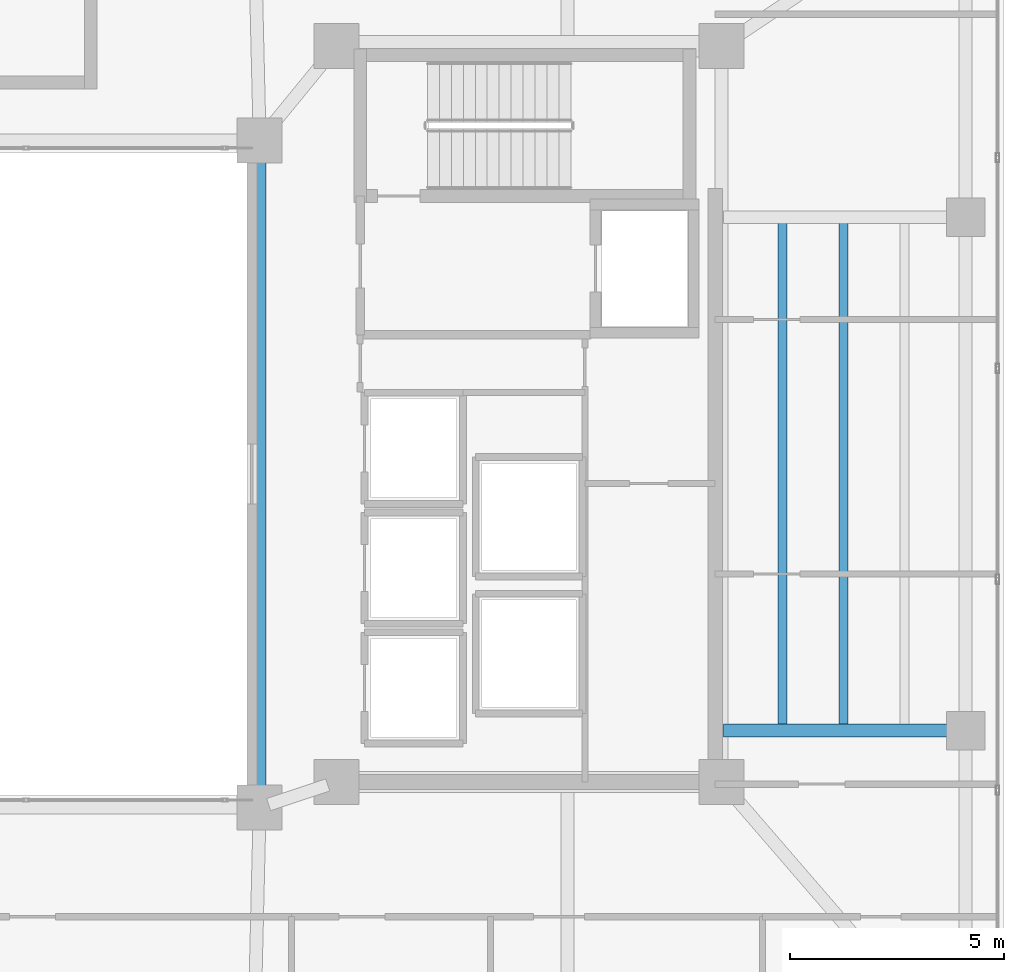
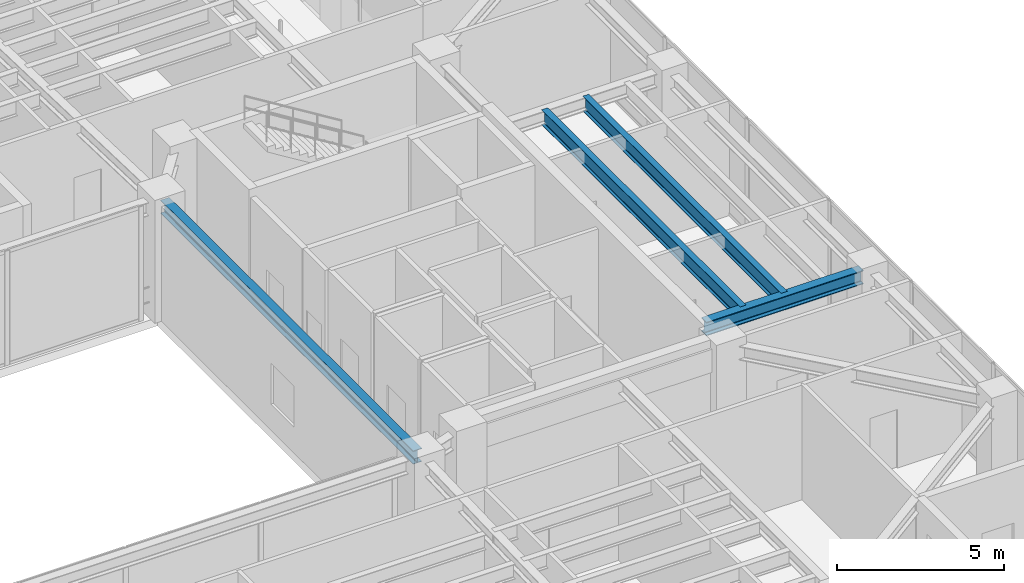
# One storey, part 14 of 33: 4 beams.
"""IFC4 building model written with IfcOpenShell, lengths in metres."""

from ifc_helpers import new_model, si_unit, direction, frame, origin, origin_2d, place, context, subcontext, project, spatial, i_section, extrude, material, material_profile, profile_set, type_object, element, save


model = new_model("IFC4")

# Units and contexts
model_context = context("Model", 3, precision=1e-05, world=origin(), true_north=direction((0.0, 1.0)))
body_context = subcontext(model_context, "Body", "Model", "MODEL_VIEW")
ifc_project = project(units=[si_unit("LENGTHUNIT", "METRE"), si_unit("AREAUNIT", "SQUARE_METRE"), si_unit("VOLUMEUNIT", "CUBIC_METRE"), si_unit("PLANEANGLEUNIT", "RADIAN"), si_unit("MASSUNIT", "GRAM", prefix="KILO")], contexts=[model_context])

# Site, building, storey
site_placement = place(None, origin())
site = spatial("IfcSite", under=ifc_project, at=site_placement, CompositionType="ELEMENT")
building_placement = place(site_placement, origin())
building = spatial("IfcBuilding", under=site, at=building_placement, Name="Tarnavaz Court Tower", CompositionType="ELEMENT")
storey_placement = place(building_placement, frame((0.0, 0.0, 177.300048828125)))
storey = spatial("IfcBuildingStorey", under=building, at=storey_placement, Name="L48", CompositionType="ELEMENT", Elevation=177.300048828125)

# Beams
ifc_material = material(Name="Steel S355", Category="steel")
ifc_material_profile_1 = material_profile(ifc_material, i_section(OverallWidth=0.300048828125, OverallDepth=0.5, WebThickness=0.014404296875, FlangeThickness=0.028076171875, FilletRadius=0.027099609375, at=origin_2d()), Name="HEB 500")
ifc_profile_set_1 = profile_set([ifc_material_profile_1], Name="Steel S355")
beam_type_1 = type_object("IfcBeamType", Name="BM-G-HEB500", PredefinedType="USERDEFINED", material=ifc_profile_set_1)
beam_1_placement = place(storey_placement, frame((18.639892578125, -6.0, 3.949951171875), z_axis=(1.0, 0.0, 0.0), x_axis=(0.0, 1.0, 0.0)))
element("IfcBeam", 1, at=beam_1_placement, inside=storey, type_object=beam_type_1, Name="L48 Beam RG-09", ObjectType="GIRDER", PredefinedType="USERDEFINED", context=body_context, shape_type="SweptSolid", body=[
    extrude(i_section(OverallWidth=0.300048828125, OverallDepth=0.5, WebThickness=0.014404296875, FlangeThickness=0.028076171875, FilletRadius=0.027099609375, at=origin_2d()), origin(), (0.0, 0.0, 1.0), 5.440185546875),
])
ifc_material_profile_2 = material_profile(ifc_material, i_section(OverallWidth=0.2099609375, OverallDepth=0.550048828125, WebThickness=0.010986328125, FlangeThickness=0.01708984375, FilletRadius=0.02392578125, at=origin_2d()), Name="IPE 550")
ifc_profile_set_2 = profile_set([ifc_material_profile_2], Name="Steel S355")
beam_type_2 = type_object("IfcBeamType", Name="BM-J-IPE550", PredefinedType="JOIST", material=ifc_profile_set_2)
for number, where, z_axis, x_axis, name in (
    (2, (20.02490234375, -5.9599609375, 3.925048828125), (0.0, 1.0, 0.0), (-1.0, 0.0, 0.0), "L48 Beam JE1"),
    (3, (21.449951171875, -5.9599609375, 3.925048828125), (0.0, 1.0, 0.0), (-1.0, 0.0, 0.0), "L48 Beam JE2"),
):
    element("IfcBeam", number, at=place(storey_placement, frame(where, z_axis=z_axis, x_axis=x_axis)), inside=storey, type_object=beam_type_2, Name=name, PredefinedType="JOIST", context=body_context, shape_type="SweptSolid", body=[
        extrude(i_section(OverallWidth=0.2099609375, OverallDepth=0.550048828125, WebThickness=0.010986328125, FlangeThickness=0.01708984375, FilletRadius=0.02392578125, at=origin_2d()), origin(), (0.0, 0.0, 1.0), 11.919921875),
    ])
ifc_material_profile_3 = material_profile(ifc_material, i_section(OverallWidth=0.300048828125, OverallDepth=0.489990234375, WebThickness=0.011962890625, FlangeThickness=0.02294921875, FilletRadius=0.027099609375, at=origin_2d()), Name="HEA 500")
ifc_profile_set_3 = profile_set([ifc_material_profile_3], Name="Steel S355")
beam_type_3 = type_object("IfcBeamType", Name="BM-SP-HEA500", PredefinedType="SPANDREL", material=ifc_profile_set_3)
beam_2_placement = place(storey_placement, frame((7.800048828125, -7.580078125, 3.954833984375), z_axis=(0.0, 1.0, 0.0), x_axis=(-1.0, 0.0, 0.0)))
element("IfcBeam", 4, at=beam_2_placement, inside=storey, type_object=beam_type_3, Name="L48 Beam IN-IW-SE-IW-NE", PredefinedType="SPANDREL", context=body_context, shape_type="SweptSolid", body=[
    extrude(i_section(OverallWidth=0.300048828125, OverallDepth=0.489990234375, WebThickness=0.011962890625, FlangeThickness=0.02294921875, FilletRadius=0.027099609375, at=origin_2d()), origin(), (0.0, 0.0, 1.0), 15.16015625),
])

save(model, "model.ifc")
